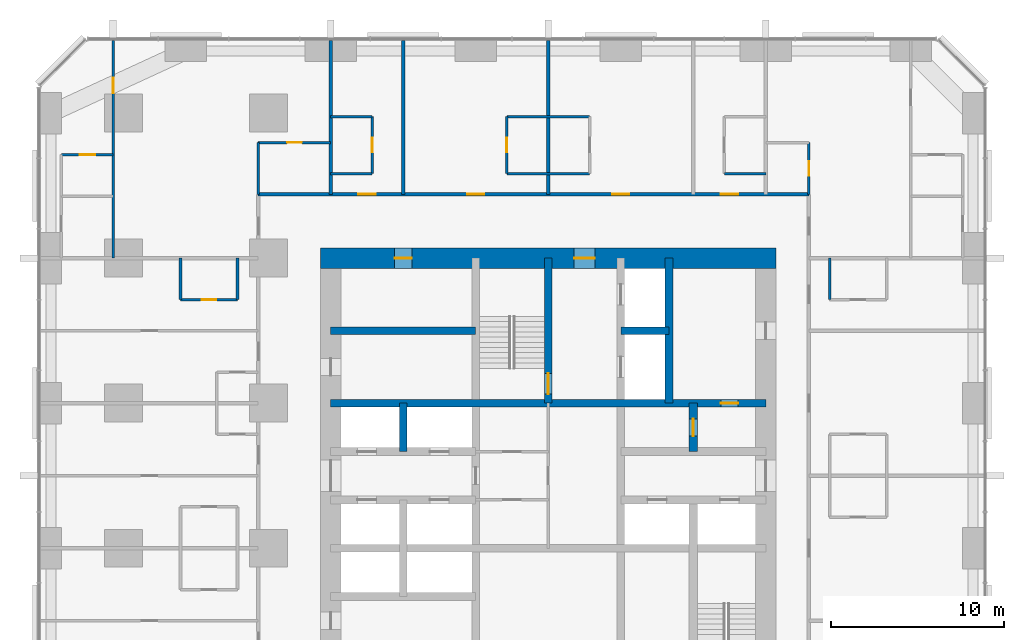
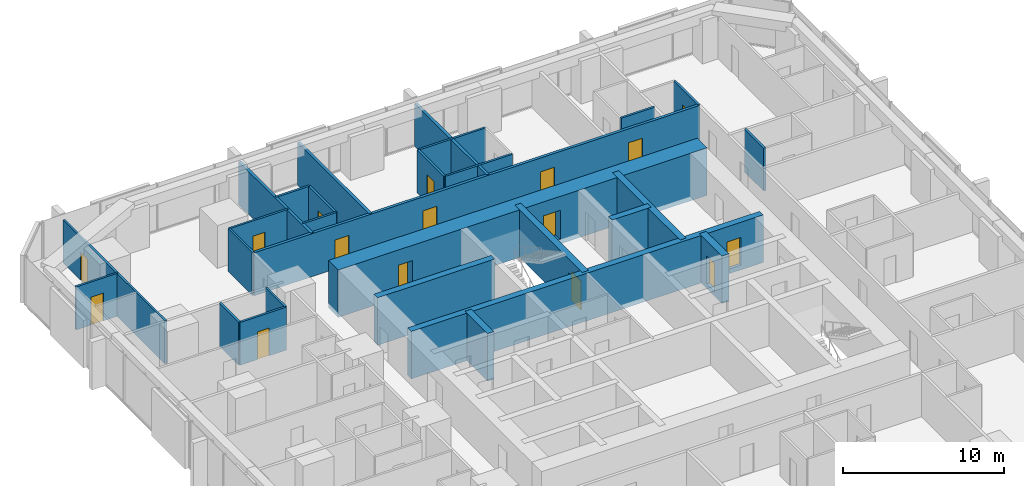
# One storey, part 11 of 13: 28 walls, 16 doors, 16 openings.
"""IFC4 building model written with IfcOpenShell, lengths in metres."""

from ifc_helpers import new_model, si_unit, direction, frame, frame_2d, origin, place, context, subcontext, project, spatial, rectangle, extrude, material, layer, layer_set, type_object, element, fill, save


model = new_model("IFC4")

# Units and contexts
model_context = context("Model", 3, precision=1e-05, world=origin(), true_north=direction((0.0, 1.0)))
body_context = subcontext(model_context, "Body", "Model", "MODEL_VIEW")
ifc_project = project(units=[si_unit("LENGTHUNIT", "METRE"), si_unit("AREAUNIT", "SQUARE_METRE"), si_unit("VOLUMEUNIT", "CUBIC_METRE"), si_unit("PLANEANGLEUNIT", "RADIAN"), si_unit("MASSUNIT", "GRAM", prefix="KILO")], contexts=[model_context])

# Site, building, storey
site_placement = place(None, origin())
site = spatial("IfcSite", under=ifc_project, at=site_placement, CompositionType="ELEMENT")
building_placement = place(site_placement, origin())
building = spatial("IfcBuilding", under=site, at=building_placement, Name="Dunama Terrace Hotel", CompositionType="ELEMENT")
storey_placement = place(building_placement, frame((0.0, 0.0, 97.199951171875)))
storey = spatial("IfcBuildingStorey", under=building, at=storey_placement, Name="L24", CompositionType="ELEMENT", Elevation=97.199951171875)

# Walls
ifc_material_1 = material(Name="Gypsum board partition", Category="masonry")
ifc_layer_1 = layer(ifc_material_1, 0.14990234375)
ifc_layer_set_1 = layer_set([ifc_layer_1], Name="Bathroom partition 150")
wall_type_1 = type_object("IfcWallType", Name="Bathroom partition 150", PredefinedType="PARTITIONING", material=ifc_layer_set_1)
for number, where, z_axis, x_axis, name in (
    (1, (8.10009765625, 39.60009765625, 0.0), (0.0, 0.0, 1.0), (0.0, 1.0, 0.0), "Bathroom partition 150 L24"),
    (2, (11.39990234375, 39.60009765625, 0.0), (0.0, 0.0, 1.0), (0.0, 1.0, 0.0), "Bathroom partition 150 L24"),
):
    element("IfcWall", number, at=place(storey_placement, frame(where, z_axis=z_axis, x_axis=x_axis)), inside=storey, type_object=wall_type_1, Name=name, PredefinedType="PARTITIONING", context=body_context, shape_type="SweptSolid", body=[
        extrude(rectangle(XDim=2.39990234375, YDim=0.14990234375, at=frame_2d((1.199951171875, 0.0))), origin(), (0.0, 0.0, 1.0), 3.25),
    ])
wall_1_placement = place(storey_placement, frame((12.60009765625, 45.699951171875, 0.0), z_axis=(0.0, 0.0, 1.0), x_axis=(0.0, 1.0, 0.0)))
element("IfcWall", 3, at=wall_1_placement, inside=storey, type_object=wall_type_1, Name="Bathroom partition 150 L24", PredefinedType="PARTITIONING", context=body_context, shape_type="SweptSolid", body=[
    extrude(rectangle(XDim=3.0, YDim=0.14990234375, at=frame_2d((1.5, 0.0))), origin(), (0.0, 0.0, 1.0), 3.25),
])

# Wall, opening, door
wall_2_placement = place(storey_placement, frame((19.199951171875, 46.89990234375, 0.0), z_axis=(0.0, 0.0, 1.0), x_axis=(0.0, 1.0, 0.0)))
wall_2 = element("IfcWall", 4, at=wall_2_placement, inside=storey, type_object=wall_type_1, Name="Bathroom partition 150 L24", PredefinedType="PARTITIONING", context=body_context, shape_type="SweptSolid", body=[
    extrude(rectangle(XDim=3.300048828125, YDim=0.14990234375, at=frame_2d((1.64990234375, 0.0))), origin(), (0.0, 0.0, 1.0), 3.25),
])
opening_1_placement = place(wall_2_placement, frame((1.22509765625, 0.0, 0.0)))
opening_1 = element("IfcOpeningElement", 5, at=opening_1_placement, cuts=wall_2, Name="Opening L24-026", PredefinedType="OPENING", context=body_context, shape_type="SweptSolid", body=[
    extrude(rectangle(XDim=0.85009765625, YDim=2.10009765625, at=frame_2d((0.425048828125, 1.050048828125))), frame((0.0, 0.0849609375, 0.0), z_axis=(0.0, -1.0, 0.0), x_axis=(1.0, 0.0, 0.0)), (0.0, 0.0, 1.0), 0.169921875),
])
ifc_material_2 = material(Name="Timber door with steel frame", Category="steel")
door_type_1 = type_object("IfcDoorType", Name="Bathroom door 850", OperationType="SINGLE_SWING_LEFT", PredefinedType="DOOR", material=ifc_material_2)
door_1_placement = place(opening_1_placement, origin())
door_1 = element("IfcDoor", 6, at=door_1_placement, inside=storey, type_object=door_type_1, Name="Door to en-suite bathroom L24-026, type D2", OperationType="SINGLE_SWING_LEFT", OverallHeight=2.10009765625, OverallWidth=0.85009765625, PredefinedType="DOOR", context=body_context, shape_type="SweptSolid", body=[
    extrude(rectangle(XDim=0.85009765625, YDim=2.10009765625, at=frame_2d((0.425048828125, 1.050048828125))), frame((0.0, 0.02490234375, 0.0), z_axis=(0.0, -1.0, 0.0), x_axis=(1.0, 0.0, 0.0)), (0.0, 0.0, 1.0), 0.050048828125),
])
fill(opening_1, door_1)

wall_3_placement = place(storey_placement, frame((27.0, 46.89990234375, 0.0), z_axis=(0.0, 0.0, 1.0), x_axis=(0.0, 1.0, 0.0)))
wall_3 = element("IfcWall", 7, at=wall_3_placement, inside=storey, type_object=wall_type_1, Name="Bathroom partition 150 L24", PredefinedType="PARTITIONING", context=body_context, shape_type="SweptSolid", body=[
    extrude(rectangle(XDim=3.300048828125, YDim=0.14990234375, at=frame_2d((1.64990234375, 0.0))), origin(), (0.0, 0.0, 1.0), 3.25),
])
opening_2_placement = place(wall_3_placement, frame((1.22509765625, 0.0, 0.0)))
opening_2 = element("IfcOpeningElement", 8, at=opening_2_placement, cuts=wall_3, Name="Opening L24-028", PredefinedType="OPENING", context=body_context, shape_type="SweptSolid", body=[
    extrude(rectangle(XDim=0.85009765625, YDim=2.10009765625, at=frame_2d((0.425048828125, 1.050048828125))), frame((0.0, 0.0849609375, 0.0), z_axis=(0.0, -1.0, 0.0), x_axis=(1.0, 0.0, 0.0)), (0.0, 0.0, 1.0), 0.169921875),
])
door_2_placement = place(opening_2_placement, frame((0.85009765625, 0.0, 0.0), z_axis=(0.0, 0.0, 1.0), x_axis=(-1.0, 0.0, 0.0)))
door_2 = element("IfcDoor", 9, at=door_2_placement, inside=storey, type_object=door_type_1, Name="Door to en-suite bathroom L24-028, type D2", OperationType="SINGLE_SWING_RIGHT", OverallHeight=2.10009765625, OverallWidth=0.85009765625, PredefinedType="DOOR", context=body_context, shape_type="SweptSolid", body=[
    extrude(rectangle(XDim=0.85009765625, YDim=2.10009765625, at=frame_2d((0.425048828125, 1.050048828125))), frame((0.0, 0.025146484375, 0.0), z_axis=(0.0, -1.0, 0.0), x_axis=(1.0, 0.0, 0.0)), (0.0, 0.0, 1.0), 0.050048828125),
])
fill(opening_2, door_2)

wall_4_placement = place(storey_placement, frame((44.5, 45.699951171875, 0.0), z_axis=(0.0, 0.0, 1.0), x_axis=(0.0, 1.0, 0.0)))
wall_4 = element("IfcWall", 10, at=wall_4_placement, inside=storey, type_object=wall_type_1, Name="Bathroom partition 150 L24", PredefinedType="PARTITIONING", context=body_context, shape_type="SweptSolid", body=[
    extrude(rectangle(XDim=3.0, YDim=0.14990234375, at=frame_2d((1.5, 0.0))), origin(), (0.0, 0.0, 1.0), 3.25),
])
opening_3_placement = place(wall_4_placement, frame((1.074951171875, 0.0, 0.0)))
opening_3 = element("IfcOpeningElement", 11, at=opening_3_placement, cuts=wall_4, Name="Opening L24-056", PredefinedType="OPENING", context=body_context, shape_type="SweptSolid", body=[
    extrude(rectangle(XDim=0.85009765625, YDim=2.10009765625, at=frame_2d((0.425048828125, 1.050048828125))), frame((0.0, 0.0849609375, 0.0), z_axis=(0.0, -1.0, 0.0), x_axis=(1.0, 0.0, 0.0)), (0.0, 0.0, 1.0), 0.169921875),
])
door_3_placement = place(opening_3_placement, origin())
door_3 = element("IfcDoor", 12, at=door_3_placement, inside=storey, type_object=door_type_1, Name="Door to powder room L24-056, type D2", OperationType="SINGLE_SWING_LEFT", OverallHeight=2.10009765625, OverallWidth=0.85009765625, PredefinedType="DOOR", context=body_context, shape_type="SweptSolid", body=[
    extrude(rectangle(XDim=0.85009765625, YDim=2.10009765625, at=frame_2d((0.425048828125, 1.050048828125))), frame((0.0, 0.02490234375, 0.0), z_axis=(0.0, -1.0, 0.0), x_axis=(1.0, 0.0, 0.0)), (0.0, 0.0, 1.0), 0.050048828125),
])
fill(opening_3, door_3)

# Wall
wall_5_placement = place(storey_placement, frame((45.699951171875, 39.60009765625, 0.0), z_axis=(0.0, 0.0, 1.0), x_axis=(0.0, 1.0, 0.0)))
element("IfcWall", 13, at=wall_5_placement, inside=storey, type_object=wall_type_1, Name="Bathroom partition 150 L24", PredefinedType="PARTITIONING", context=body_context, shape_type="SweptSolid", body=[
    extrude(rectangle(XDim=2.39990234375, YDim=0.14990234375, at=frame_2d((1.199951171875, 0.0))), origin(), (0.0, 0.0, 1.0), 3.25),
])

# Wall, opening, door
wall_6_placement = place(storey_placement, frame((8.10009765625, 39.60009765625, 0.0), z_axis=(0.0, 0.0, 1.0), x_axis=(1.0, 0.0, 0.0)))
wall_6 = element("IfcWall", 14, at=wall_6_placement, inside=storey, type_object=wall_type_1, Name="Bathroom partition 150 L24", PredefinedType="PARTITIONING", context=body_context, shape_type="SweptSolid", body=[
    extrude(rectangle(XDim=3.2998046875, YDim=0.14990234375, at=frame_2d((1.64990234375, 0.0))), origin(), (0.0, 0.0, 1.0), 3.25),
])
opening_4_placement = place(wall_6_placement, frame((1.22509765625, 0.0, 0.0)))
opening_4 = element("IfcOpeningElement", 15, at=opening_4_placement, cuts=wall_6, Name="Opening L24-044", PredefinedType="OPENING", context=body_context, shape_type="SweptSolid", body=[
    extrude(rectangle(XDim=0.85009765625, YDim=2.10009765625, at=frame_2d((0.425048828125, 1.050048828125))), frame((0.0, 0.0849609375, 0.0), z_axis=(0.0, -1.0, 0.0), x_axis=(1.0, 0.0, 0.0)), (0.0, 0.0, 1.0), 0.169921875),
])
door_4_placement = place(opening_4_placement, origin())
door_4 = element("IfcDoor", 16, at=door_4_placement, inside=storey, type_object=door_type_1, Name="Door to en-suite bathroom L24-044, type D2", OperationType="SINGLE_SWING_LEFT", OverallHeight=2.10009765625, OverallWidth=0.85009765625, PredefinedType="DOOR", context=body_context, shape_type="SweptSolid", body=[
    extrude(rectangle(XDim=0.85009765625, YDim=2.10009765625, at=frame_2d((0.425048828125, 1.050048828125))), frame((0.0, 0.02490234375, 0.0), z_axis=(0.0, -1.0, 0.0), x_axis=(1.0, 0.0, 0.0)), (0.0, 0.0, 1.0), 0.050048828125),
])
fill(opening_4, door_4)

# Walls
wall_7_placement = place(storey_placement, frame((16.800048828125, 46.89990234375, 0.0), z_axis=(0.0, 0.0, 1.0), x_axis=(1.0, 0.0, 0.0)))
element("IfcWall", 17, at=wall_7_placement, inside=storey, type_object=wall_type_1, Name="Bathroom partition 150 L24", PredefinedType="PARTITIONING", context=body_context, shape_type="SweptSolid", body=[
    extrude(rectangle(XDim=2.39990234375, YDim=0.14990234375, at=frame_2d((1.199951171875, 0.0))), origin(), (0.0, 0.0, 1.0), 3.25),
])
wall_8_placement = place(storey_placement, frame((27.0, 46.89990234375, 0.0), z_axis=(0.0, 0.0, 1.0), x_axis=(1.0, 0.0, 0.0)))
element("IfcWall", 18, at=wall_8_placement, inside=storey, type_object=wall_type_1, Name="Bathroom partition 150 L24", PredefinedType="PARTITIONING", context=body_context, shape_type="SweptSolid", body=[
    extrude(rectangle(XDim=4.800048828125, YDim=0.14990234375, at=frame_2d((2.39990234375, 0.0))), origin(), (0.0, 0.0, 1.0), 3.25),
])
wall_9_placement = place(storey_placement, frame((39.60009765625, 46.89990234375, 0.0), z_axis=(0.0, 0.0, 1.0), x_axis=(1.0, 0.0, 0.0)))
element("IfcWall", 19, at=wall_9_placement, inside=storey, type_object=wall_type_1, Name="Bathroom partition 150 L24", PredefinedType="PARTITIONING", context=body_context, shape_type="SweptSolid", body=[
    extrude(rectangle(XDim=2.39990234375, YDim=0.14990234375, at=frame_2d((1.199951171875, 0.0))), origin(), (0.0, 0.0, 1.0), 3.25),
])

# Wall, opening, door
wall_10_placement = place(storey_placement, frame((12.60009765625, 48.699951171875, 0.0), z_axis=(0.0, 0.0, 1.0), x_axis=(1.0, 0.0, 0.0)))
wall_10 = element("IfcWall", 20, at=wall_10_placement, inside=storey, type_object=wall_type_1, Name="Bathroom partition 150 L24", PredefinedType="PARTITIONING", context=body_context, shape_type="SweptSolid", body=[
    extrude(rectangle(XDim=4.199951171875, YDim=0.14990234375, at=frame_2d((2.10009765625, 0.0))), origin(), (0.0, 0.0, 1.0), 3.25),
])
opening_5_placement = place(wall_10_placement, frame((1.675048828125, 0.0, 0.0)))
opening_5 = element("IfcOpeningElement", 21, at=opening_5_placement, cuts=wall_10, Name="Opening L24-061", PredefinedType="OPENING", context=body_context, shape_type="SweptSolid", body=[
    extrude(rectangle(XDim=0.85009765625, YDim=2.10009765625, at=frame_2d((0.425048828125, 1.050048828125))), frame((0.0, 0.0849609375, 0.0), z_axis=(0.0, -1.0, 0.0), x_axis=(1.0, 0.0, 0.0)), (0.0, 0.0, 1.0), 0.169921875),
])
door_5_placement = place(opening_5_placement, frame((0.85009765625, 0.0, 0.0), z_axis=(0.0, 0.0, 1.0), x_axis=(-1.0, 0.0, 0.0)))
door_5 = element("IfcDoor", 22, at=door_5_placement, inside=storey, type_object=door_type_1, Name="Door to powder room L24-061, type D2", OperationType="SINGLE_SWING_RIGHT", OverallHeight=2.10009765625, OverallWidth=0.85009765625, PredefinedType="DOOR", context=body_context, shape_type="SweptSolid", body=[
    extrude(rectangle(XDim=0.85009765625, YDim=2.10009765625, at=frame_2d((0.425048828125, 1.050048828125))), frame((0.0, 0.025146484375, 0.0), z_axis=(0.0, -1.0, 0.0), x_axis=(1.0, 0.0, 0.0)), (0.0, 0.0, 1.0), 0.050048828125),
])
fill(opening_5, door_5)

# Walls
wall_11_placement = place(storey_placement, frame((16.800048828125, 50.199951171875, 0.0), z_axis=(0.0, 0.0, 1.0), x_axis=(1.0, 0.0, 0.0)))
element("IfcWall", 23, at=wall_11_placement, inside=storey, type_object=wall_type_1, Name="Bathroom partition 150 L24", PredefinedType="PARTITIONING", context=body_context, shape_type="SweptSolid", body=[
    extrude(rectangle(XDim=2.39990234375, YDim=0.14990234375, at=frame_2d((1.199951171875, 0.0))), origin(), (0.0, 0.0, 1.0), 3.25),
])
wall_12_placement = place(storey_placement, frame((27.0, 50.199951171875, 0.0), z_axis=(0.0, 0.0, 1.0), x_axis=(1.0, 0.0, 0.0)))
element("IfcWall", 24, at=wall_12_placement, inside=storey, type_object=wall_type_1, Name="Bathroom partition 150 L24", PredefinedType="PARTITIONING", context=body_context, shape_type="SweptSolid", body=[
    extrude(rectangle(XDim=4.800048828125, YDim=0.14990234375, at=frame_2d((2.39990234375, 0.0))), origin(), (0.0, 0.0, 1.0), 3.25),
])
ifc_material_3 = material(Name="Concrete C50/60", Category="concrete")
ifc_layer_2 = layer(ifc_material_3, 0.449951171875)
ifc_layer_set_2 = layer_set([ifc_layer_2], Name="Core inner wall 450")
wall_type_2 = type_object("IfcWallType", Name="Core inner wall 450", PredefinedType="SHEAR", material=ifc_layer_set_2)
wall_13_placement = place(storey_placement, frame((21.0, 30.800048828125, -0.349853515625), z_axis=(0.0, 0.0, 1.0), x_axis=(0.0, 1.0, 0.0)))
element("IfcWall", 25, at=wall_13_placement, inside=storey, type_object=wall_type_2, Name="Core inner wall 450 L24", PredefinedType="SHEAR", context=body_context, shape_type="SweptSolid", body=[
    extrude(rectangle(XDim=2.800048828125, YDim=0.449951171875, at=frame_2d((1.39990234375, 0.0))), origin(), (0.0, 0.0, 1.0), 3.599853515625),
])

# Wall, opening, door
wall_14_placement = place(storey_placement, frame((29.39990234375, 33.60009765625, -0.349853515625), z_axis=(0.0, 0.0, 1.0), x_axis=(0.0, 1.0, 0.0)))
wall_14 = element("IfcWall", 26, at=wall_14_placement, inside=storey, type_object=wall_type_2, Name="Core inner wall 450 L24", PredefinedType="SHEAR", context=body_context, shape_type="SweptSolid", body=[
    extrude(rectangle(XDim=8.39990234375, YDim=0.449951171875, at=frame_2d((4.199951171875, 0.0))), origin(), (0.0, 0.0, 1.0), 3.599853515625),
])
opening_6_placement = place(wall_14_placement, frame((0.52490234375, 0.0, 0.35009765625)))
opening_6 = element("IfcOpeningElement", 27, at=opening_6_placement, cuts=wall_14, Name="Opening L24-001", PredefinedType="OPENING", context=body_context, shape_type="SweptSolid", body=[
    extrude(rectangle(XDim=1.199951171875, YDim=2.199951171875, at=frame_2d((0.60009765625, 1.10009765625))), frame((0.0, 0.23486328125, 0.0), z_axis=(0.0, -1.0, 0.0), x_axis=(1.0, 0.0, 0.0)), (0.0, 0.0, 1.0), 0.469970703125),
])
ifc_material_4 = material(Name="Timber door with steel frame", Category="steel")
door_type_2 = type_object("IfcDoorType", Name="Stair door 1200", OperationType="SINGLE_SWING_LEFT", PredefinedType="DOOR", material=ifc_material_4)
door_6_placement = place(opening_6_placement, origin())
door_6 = element("IfcDoor", 28, at=door_6_placement, inside=storey, type_object=door_type_2, Name="Stair door ST1 L24-001, type D5", OperationType="SINGLE_SWING_LEFT", OverallHeight=2.199951171875, OverallWidth=1.199951171875, PredefinedType="DOOR", context=body_context, shape_type="SweptSolid", body=[
    extrude(rectangle(XDim=1.199951171875, YDim=2.199951171875, at=frame_2d((0.60009765625, 1.10009765625))), frame((0.0, 0.02490234375, 0.0), z_axis=(0.0, -1.0, 0.0), x_axis=(1.0, 0.0, 0.0)), (0.0, 0.0, 1.0), 0.050048828125),
])
fill(opening_6, door_6)

# Wall
wall_15_placement = place(storey_placement, frame((36.39990234375, 33.60009765625, -0.349853515625), z_axis=(0.0, 0.0, 1.0), x_axis=(0.0, 1.0, 0.0)))
element("IfcWall", 29, at=wall_15_placement, inside=storey, type_object=wall_type_2, Name="Core inner wall 450 L24", PredefinedType="SHEAR", context=body_context, shape_type="SweptSolid", body=[
    extrude(rectangle(XDim=8.39990234375, YDim=0.449951171875, at=frame_2d((4.199951171875, 0.0))), origin(), (0.0, 0.0, 1.0), 3.599853515625),
])

# Wall, opening, door
wall_16_placement = place(storey_placement, frame((16.800048828125, 33.60009765625, -0.349853515625), z_axis=(0.0, 0.0, 1.0), x_axis=(1.0, 0.0, 0.0)))
wall_16 = element("IfcWall", 30, at=wall_16_placement, inside=storey, type_object=wall_type_2, Name="Core inner wall 450 L24", PredefinedType="SHEAR", context=body_context, shape_type="SweptSolid", body=[
    extrude(rectangle(XDim=25.199951171875, YDim=0.449951171875, at=frame_2d((12.60009765625, 0.0))), origin(), (0.0, 0.0, 1.0), 3.599853515625),
])
opening_7_placement = place(wall_16_placement, frame((22.60009765625, 0.0, 0.35009765625)))
opening_7 = element("IfcOpeningElement", 31, at=opening_7_placement, cuts=wall_16, Name="Opening L24-074", PredefinedType="OPENING", context=body_context, shape_type="SweptSolid", body=[
    extrude(rectangle(XDim=1.0, YDim=2.10009765625, at=frame_2d((0.5, 1.050048828125))), frame((0.0, 0.23486328125, 0.0), z_axis=(0.0, -1.0, 0.0), x_axis=(1.0, 0.0, 0.0)), (0.0, 0.0, 1.0), 0.469970703125),
])
ifc_material_5 = material(Name="Timber door with steel frame", Category="steel")
door_type_3 = type_object("IfcDoorType", Name="Service door 1000", OperationType="SINGLE_SWING_LEFT", PredefinedType="DOOR", material=ifc_material_5)
door_7_placement = place(opening_7_placement, frame((1.0, 0.0, 0.0), z_axis=(0.0, 0.0, 1.0), x_axis=(-1.0, 0.0, 0.0)))
door_7 = element("IfcDoor", 32, at=door_7_placement, inside=storey, type_object=door_type_3, Name="Door to housekeeping and linen store L24-074, type D7", OperationType="SINGLE_SWING_LEFT", OverallHeight=2.10009765625, OverallWidth=1.0, PredefinedType="DOOR", context=body_context, shape_type="SweptSolid", body=[
    extrude(rectangle(XDim=1.0, YDim=2.10009765625, at=frame_2d((0.5, 1.050048828125))), frame((0.0, 0.025146484375, 0.0), z_axis=(0.0, -1.0, 0.0), x_axis=(1.0, 0.0, 0.0)), (0.0, 0.0, 1.0), 0.050048828125),
])
fill(opening_7, door_7)

# Walls
wall_17_placement = place(storey_placement, frame((16.800048828125, 37.800048828125, -0.349853515625), z_axis=(0.0, 0.0, 1.0), x_axis=(1.0, 0.0, 0.0)))
element("IfcWall", 33, at=wall_17_placement, inside=storey, type_object=wall_type_2, Name="Core inner wall 450 L24", PredefinedType="SHEAR", context=body_context, shape_type="SweptSolid", body=[
    extrude(rectangle(XDim=8.39990234375, YDim=0.449951171875, at=frame_2d((4.199951171875, 0.0))), origin(), (0.0, 0.0, 1.0), 3.599853515625),
])
wall_18_placement = place(storey_placement, frame((33.60009765625, 37.800048828125, -0.349853515625), z_axis=(0.0, 0.0, 1.0), x_axis=(1.0, 0.0, 0.0)))
element("IfcWall", 34, at=wall_18_placement, inside=storey, type_object=wall_type_2, Name="Core inner wall 450 L24", PredefinedType="SHEAR", context=body_context, shape_type="SweptSolid", body=[
    extrude(rectangle(XDim=2.7998046875, YDim=0.449951171875, at=frame_2d((1.39990234375, 0.0))), origin(), (0.0, 0.0, 1.0), 3.599853515625),
])

# Wall, opening, door
ifc_material_6 = material(Name="Concrete C50/60", Category="concrete")
ifc_layer_3 = layer(ifc_material_6, 0.5)
ifc_layer_set_3 = layer_set([ifc_layer_3], Name="Core inner wall 500")
wall_type_3 = type_object("IfcWallType", Name="Core inner wall 500", PredefinedType="SHEAR", material=ifc_layer_set_3)
wall_19_placement = place(storey_placement, frame((37.800048828125, 30.800048828125, -0.349853515625), z_axis=(0.0, 0.0, 1.0), x_axis=(0.0, 1.0, 0.0)))
wall_19 = element("IfcWall", 35, at=wall_19_placement, inside=storey, type_object=wall_type_3, Name="Core inner wall 500 L24", PredefinedType="SHEAR", context=body_context, shape_type="SweptSolid", body=[
    extrude(rectangle(XDim=2.800048828125, YDim=0.5, at=frame_2d((1.39990234375, 0.0))), origin(), (0.0, 0.0, 1.0), 3.599853515625),
])
opening_8_placement = place(wall_19_placement, frame((0.89990234375, 0.0, 0.35009765625)))
opening_8 = element("IfcOpeningElement", 36, at=opening_8_placement, cuts=wall_19, Name="Opening L24-073", PredefinedType="OPENING", context=body_context, shape_type="SweptSolid", body=[
    extrude(rectangle(XDim=1.0, YDim=2.10009765625, at=frame_2d((0.5, 1.050048828125))), frame((0.0, 0.260009765625, 0.0), z_axis=(0.0, -1.0, 0.0), x_axis=(1.0, 0.0, 0.0)), (0.0, 0.0, 1.0), 0.52001953125),
])
door_8_placement = place(opening_8_placement, frame((1.0, 0.0, 0.0), z_axis=(0.0, 0.0, 1.0), x_axis=(-1.0, 0.0, 0.0)))
door_8 = element("IfcDoor", 37, at=door_8_placement, inside=storey, type_object=door_type_3, Name="Door to service riser L24-073, type D7", OperationType="SINGLE_SWING_RIGHT", OverallHeight=2.10009765625, OverallWidth=1.0, PredefinedType="DOOR", context=body_context, shape_type="SweptSolid", body=[
    extrude(rectangle(XDim=1.0, YDim=2.10009765625, at=frame_2d((0.5, 1.050048828125))), frame((0.0, 0.025146484375, 0.0), z_axis=(0.0, -1.0, 0.0), x_axis=(1.0, 0.0, 0.0)), (0.0, 0.0, 1.0), 0.050048828125),
])
fill(opening_8, door_8)

# Wall, openings, doors
ifc_material_7 = material(Name="Concrete C60/75", Category="concrete")
ifc_layer_4 = layer(ifc_material_7, 1.199951171875)
ifc_layer_set_4 = layer_set([ifc_layer_4], Name="Core wall 1200")
wall_type_4 = type_object("IfcWallType", Name="Core wall 1200", PredefinedType="SHEAR", material=ifc_layer_set_4)
wall_20_placement = place(storey_placement, frame((42.60009765625, 42.0, -0.349853515625), z_axis=(0.0, 0.0, 1.0), x_axis=(-1.0, 0.0, 0.0)))
wall_20 = element("IfcWall", 38, at=wall_20_placement, inside=storey, type_object=wall_type_4, Name="Core wall north L24", PredefinedType="SHEAR", context=body_context, shape_type="SweptSolid", body=[
    extrude(rectangle(XDim=26.400146484375, YDim=1.199951171875, at=frame_2d((13.2001953125, 0.0))), origin(), (0.0, 0.0, 1.0), 3.599853515625),
])
opening_9_placement = place(wall_20_placement, frame((21.10009765625, 0.0, 0.35009765625)))
opening_9 = element("IfcOpeningElement", 39, at=opening_9_placement, cuts=wall_20, Name="Opening L24-068", PredefinedType="OPENING", context=body_context, shape_type="SweptSolid", body=[
    extrude(rectangle(XDim=1.0, YDim=2.10009765625, at=frame_2d((0.5, 1.050048828125))), frame((0.0, 0.60986328125, 0.0), z_axis=(0.0, -1.0, 0.0), x_axis=(1.0, 0.0, 0.0)), (0.0, 0.0, 1.0), 1.219970703125),
])
opening_10_placement = place(wall_20_placement, frame((10.5, 0.0, 0.35009765625)))
opening_10 = element("IfcOpeningElement", 40, at=opening_10_placement, cuts=wall_20, Name="Opening L24-076", PredefinedType="OPENING", context=body_context, shape_type="SweptSolid", body=[
    extrude(rectangle(XDim=1.199951171875, YDim=2.199951171875, at=frame_2d((0.60009765625, 1.10009765625))), frame((0.0, 0.60986328125, 0.0), z_axis=(0.0, -1.0, 0.0), x_axis=(1.0, 0.0, 0.0)), (0.0, 0.0, 1.0), 1.219970703125),
])
ifc_material_8 = material(Name="Timber door with steel frame", Category="steel")
door_type_4 = type_object("IfcDoorType", Name="Firefighting lobby door 1200", OperationType="SINGLE_SWING_LEFT", PredefinedType="DOOR", material=ifc_material_8)
door_9_placement = place(opening_10_placement, origin())
door_9 = element("IfcDoor", 41, at=door_9_placement, inside=storey, type_object=door_type_4, Name="Door to firefighting lobby L24-076, type D4", OperationType="SINGLE_SWING_LEFT", OverallHeight=2.199951171875, OverallWidth=1.199951171875, PredefinedType="DOOR", context=body_context, shape_type="SweptSolid", body=[
    extrude(rectangle(XDim=1.199951171875, YDim=2.199951171875, at=frame_2d((0.60009765625, 1.10009765625))), frame((0.0, 0.02490234375, 0.0), z_axis=(0.0, -1.0, 0.0), x_axis=(1.0, 0.0, 0.0)), (0.0, 0.0, 1.0), 0.050048828125),
])
fill(opening_10, door_9)
door_10_placement = place(opening_9_placement, origin())
door_10 = element("IfcDoor", 42, at=door_10_placement, inside=storey, type_object=door_type_3, Name="Door to communications and riser room L24-068, type D7", OperationType="SINGLE_SWING_LEFT", OverallHeight=2.10009765625, OverallWidth=1.0, PredefinedType="DOOR", context=body_context, shape_type="SweptSolid", body=[
    extrude(rectangle(XDim=1.0, YDim=2.10009765625, at=frame_2d((0.5, 1.050048828125))), frame((0.0, 0.02490234375, 0.0), z_axis=(0.0, -1.0, 0.0), x_axis=(1.0, 0.0, 0.0)), (0.0, 0.0, 1.0), 0.050048828125),
])
fill(opening_9, door_10)

ifc_material_9 = material(Name="Concrete blockwork", Category="masonry")
ifc_layer_5 = layer(ifc_material_9, 0.199951171875)
ifc_layer_set_5 = layer_set([ifc_layer_5], Name="Corridor partition 200")
wall_type_5 = type_object("IfcWallType", Name="Corridor partition 200", PredefinedType="PARTITIONING", material=ifc_layer_set_5)
wall_21_placement = place(storey_placement, frame((12.60009765625, 45.699951171875, 0.0), z_axis=(0.0, 0.0, 1.0), x_axis=(1.0, 0.0, 0.0)))
wall_21 = element("IfcWall", 43, at=wall_21_placement, inside=storey, type_object=wall_type_5, Name="Corridor partition 200 L24", PredefinedType="PARTITIONING", context=body_context, shape_type="SweptSolid", body=[
    extrude(rectangle(XDim=31.89990234375, YDim=0.199951171875, at=frame_2d((15.949951171875, 0.0))), origin(), (0.0, 0.0, 1.0), 3.25),
])
opening_11_placement = place(wall_21_placement, frame((5.800048828125, 0.0, 0.0)))
opening_11 = element("IfcOpeningElement", 44, at=opening_11_placement, cuts=wall_21, Name="Opening L24-025", PredefinedType="OPENING", context=body_context, shape_type="SweptSolid", body=[
    extrude(rectangle(XDim=1.0, YDim=2.199951171875, at=frame_2d((0.5, 1.10009765625))), frame((0.0, 0.10986328125, 0.0), z_axis=(0.0, -1.0, 0.0), x_axis=(1.0, 0.0, 0.0)), (0.0, 0.0, 1.0), 0.219970703125),
])
opening_12_placement = place(wall_21_placement, frame((12.10009765625, 0.0, 0.0)))
opening_12 = element("IfcOpeningElement", 45, at=opening_12_placement, cuts=wall_21, Name="Opening L24-027", PredefinedType="OPENING", context=body_context, shape_type="SweptSolid", body=[
    extrude(rectangle(XDim=1.0, YDim=2.199951171875, at=frame_2d((0.5, 1.10009765625))), frame((0.0, 0.10986328125, 0.0), z_axis=(0.0, -1.0, 0.0), x_axis=(1.0, 0.0, 0.0)), (0.0, 0.0, 1.0), 0.219970703125),
])
opening_13_placement = place(wall_21_placement, frame((20.5, 0.0, 0.0)))
opening_13 = element("IfcOpeningElement", 46, at=opening_13_placement, cuts=wall_21, Name="Opening L24-029", PredefinedType="OPENING", context=body_context, shape_type="SweptSolid", body=[
    extrude(rectangle(XDim=1.0, YDim=2.199951171875, at=frame_2d((0.5, 1.10009765625))), frame((0.0, 0.10986328125, 0.0), z_axis=(0.0, -1.0, 0.0), x_axis=(1.0, 0.0, 0.0)), (0.0, 0.0, 1.0), 0.219970703125),
])
opening_14_placement = place(wall_21_placement, frame((26.800048828125, 0.0, 0.0)))
opening_14 = element("IfcOpeningElement", 47, at=opening_14_placement, cuts=wall_21, Name="Opening L24-031", PredefinedType="OPENING", context=body_context, shape_type="SweptSolid", body=[
    extrude(rectangle(XDim=1.0, YDim=2.199951171875, at=frame_2d((0.5, 1.10009765625))), frame((0.0, 0.10986328125, 0.0), z_axis=(0.0, -1.0, 0.0), x_axis=(1.0, 0.0, 0.0)), (0.0, 0.0, 1.0), 0.219970703125),
])
ifc_material_10 = material(Name="Timber door with steel frame", Category="steel")
door_type_5 = type_object("IfcDoorType", Name="Guest room door 1000", OperationType="SINGLE_SWING_LEFT", PredefinedType="DOOR", material=ifc_material_10)
door_11_placement = place(opening_11_placement, origin())
door_11 = element("IfcDoor", 48, at=door_11_placement, inside=storey, type_object=door_type_5, Name="Door to premier room L24-025, type D1", OperationType="SINGLE_SWING_LEFT", OverallHeight=2.199951171875, OverallWidth=1.0, PredefinedType="DOOR", context=body_context, shape_type="SweptSolid", body=[
    extrude(rectangle(XDim=1.0, YDim=2.199951171875, at=frame_2d((0.5, 1.10009765625))), frame((0.0, 0.02490234375, 0.0), z_axis=(0.0, -1.0, 0.0), x_axis=(1.0, 0.0, 0.0)), (0.0, 0.0, 1.0), 0.050048828125),
])
fill(opening_11, door_11)
door_12_placement = place(opening_12_placement, origin())
door_12 = element("IfcDoor", 49, at=door_12_placement, inside=storey, type_object=door_type_5, Name="Door to junior suite L24-027, type D1", OperationType="SINGLE_SWING_RIGHT", OverallHeight=2.199951171875, OverallWidth=1.0, PredefinedType="DOOR", context=body_context, shape_type="SweptSolid", body=[
    extrude(rectangle(XDim=1.0, YDim=2.199951171875, at=frame_2d((0.5, 1.10009765625))), frame((0.0, 0.02490234375, 0.0), z_axis=(0.0, -1.0, 0.0), x_axis=(1.0, 0.0, 0.0)), (0.0, 0.0, 1.0), 0.050048828125),
])
fill(opening_12, door_12)
door_13_placement = place(opening_13_placement, origin())
door_13 = element("IfcDoor", 50, at=door_13_placement, inside=storey, type_object=door_type_5, Name="Door to junior suite L24-029, type D1", OperationType="SINGLE_SWING_LEFT", OverallHeight=2.199951171875, OverallWidth=1.0, PredefinedType="DOOR", context=body_context, shape_type="SweptSolid", body=[
    extrude(rectangle(XDim=1.0, YDim=2.199951171875, at=frame_2d((0.5, 1.10009765625))), frame((0.0, 0.02490234375, 0.0), z_axis=(0.0, -1.0, 0.0), x_axis=(1.0, 0.0, 0.0)), (0.0, 0.0, 1.0), 0.050048828125),
])
fill(opening_13, door_13)
door_14_placement = place(opening_14_placement, origin())
door_14 = element("IfcDoor", 51, at=door_14_placement, inside=storey, type_object=door_type_5, Name="Door to premier room L24-031, type D1", OperationType="SINGLE_SWING_RIGHT", OverallHeight=2.199951171875, OverallWidth=1.0, PredefinedType="DOOR", context=body_context, shape_type="SweptSolid", body=[
    extrude(rectangle(XDim=1.0, YDim=2.199951171875, at=frame_2d((0.5, 1.10009765625))), frame((0.0, 0.02490234375, 0.0), z_axis=(0.0, -1.0, 0.0), x_axis=(1.0, 0.0, 0.0)), (0.0, 0.0, 1.0), 0.050048828125),
])
fill(opening_14, door_14)

# Walls
ifc_material_11 = material(Name="Concrete blockwork", Category="masonry")
ifc_layer_6 = layer(ifc_material_11, 0.199951171875)
ifc_layer_set_6 = layer_set([ifc_layer_6], Name="Party wall 200")
wall_type_6 = type_object("IfcWallType", Name="Party wall 200", PredefinedType="PARTITIONING", material=ifc_layer_set_6)
for number, where, z_axis, x_axis, name in (
    (52, (16.800048828125, 45.699951171875, 0.0), (0.0, 0.0, 1.0), (0.0, 1.0, 0.0), "Party wall 200 L24"),
    (53, (21.0, 45.699951171875, 0.0), (0.0, 0.0, 1.0), (0.0, 1.0, 0.0), "Party wall 200 L24"),
    (54, (29.39990234375, 45.699951171875, 0.0), (0.0, 0.0, 1.0), (0.0, 1.0, 0.0), "Party wall 200 L24"),
):
    element("IfcWall", number, at=place(storey_placement, frame(where, z_axis=z_axis, x_axis=x_axis)), inside=storey, type_object=wall_type_6, Name=name, PredefinedType="PARTITIONING", context=body_context, shape_type="SweptSolid", body=[
        extrude(rectangle(XDim=8.91796875, YDim=0.199951171875, at=frame_2d((4.458984375, 0.0))), origin(), (0.0, 0.0, 1.0), 3.25),
    ])

# Wall, opening, door
ifc_material_12 = material(Name="Gypsum board partition", Category="masonry")
ifc_layer_7 = layer(ifc_material_12, 0.14990234375)
ifc_layer_set_7 = layer_set([ifc_layer_7], Name="Room partition 150")
wall_type_7 = type_object("IfcWallType", Name="Room partition 150", PredefinedType="PARTITIONING", material=ifc_layer_set_7)
wall_22_placement = place(storey_placement, frame((4.199951171875, 42.0, 0.0), z_axis=(0.0, 0.0, 1.0), x_axis=(0.0, 1.0, 0.0)))
wall_22 = element("IfcWall", 55, at=wall_22_placement, inside=storey, type_object=wall_type_7, Name="Room partition 150 L24", PredefinedType="PARTITIONING", context=body_context, shape_type="SweptSolid", body=[
    extrude(rectangle(XDim=12.617919921875, YDim=0.14990234375, at=frame_2d((6.30908203125, 0.0))), origin(), (0.0, 0.0, 1.0), 3.25),
])
opening_15_placement = place(wall_22_placement, frame((9.550048828125, 0.0, 0.0)))
opening_15 = element("IfcOpeningElement", 56, at=opening_15_placement, cuts=wall_22, Name="Opening L24-062", PredefinedType="OPENING", context=body_context, shape_type="SweptSolid", body=[
    extrude(rectangle(XDim=0.89990234375, YDim=2.10009765625, at=frame_2d((0.449951171875, 1.050048828125))), frame((0.0, 0.0849609375, 0.0), z_axis=(0.0, -1.0, 0.0), x_axis=(1.0, 0.0, 0.0)), (0.0, 0.0, 1.0), 0.169921875),
])
ifc_material_13 = material(Name="Timber door with steel frame", Category="steel")
door_type_6 = type_object("IfcDoorType", Name="Suite internal door 900", OperationType="SINGLE_SWING_LEFT", PredefinedType="DOOR", material=ifc_material_13)
door_15_placement = place(opening_15_placement, origin())
door_15 = element("IfcDoor", 57, at=door_15_placement, inside=storey, type_object=door_type_6, Name="Door to corner suite bedroom L24-062, type D16", OperationType="SINGLE_SWING_LEFT", OverallHeight=2.10009765625, OverallWidth=0.89990234375, PredefinedType="DOOR", context=body_context, shape_type="SweptSolid", body=[
    extrude(rectangle(XDim=0.89990234375, YDim=2.10009765625, at=frame_2d((0.449951171875, 1.050048828125))), frame((0.0, 0.02490234375, 0.0), z_axis=(0.0, -1.0, 0.0), x_axis=(1.0, 0.0, 0.0)), (0.0, 0.0, 1.0), 0.050048828125),
])
fill(opening_15, door_15)

wall_23_placement = place(storey_placement, frame((1.199951171875, 48.0, 0.0), z_axis=(0.0, 0.0, 1.0), x_axis=(1.0, 0.0, 0.0)))
wall_23 = element("IfcWall", 58, at=wall_23_placement, inside=storey, type_object=wall_type_7, Name="Room partition 150 L24", PredefinedType="PARTITIONING", context=body_context, shape_type="SweptSolid", body=[
    extrude(rectangle(XDim=3.0, YDim=0.14990234375, at=frame_2d((1.5, 0.0))), origin(), (0.0, 0.0, 1.0), 3.25),
])
opening_16_placement = place(wall_23_placement, frame((1.050048828125, 0.0, 0.0)))
opening_16 = element("IfcOpeningElement", 59, at=opening_16_placement, cuts=wall_23, Name="Opening L24-064", PredefinedType="OPENING", context=body_context, shape_type="SweptSolid", body=[
    extrude(rectangle(XDim=0.89990234375, YDim=2.10009765625, at=frame_2d((0.449951171875, 1.050048828125))), frame((0.0, 0.0849609375, 0.0), z_axis=(0.0, -1.0, 0.0), x_axis=(1.0, 0.0, 0.0)), (0.0, 0.0, 1.0), 0.169921875),
])
door_16_placement = place(opening_16_placement, frame((0.89990234375, 0.0, 0.0), z_axis=(0.0, 0.0, 1.0), x_axis=(-1.0, 0.0, 0.0)))
door_16 = element("IfcDoor", 60, at=door_16_placement, inside=storey, type_object=door_type_6, Name="Door to dressing room L24-064, type D16", OperationType="SINGLE_SWING_RIGHT", OverallHeight=2.10009765625, OverallWidth=0.89990234375, PredefinedType="DOOR", context=body_context, shape_type="SweptSolid", body=[
    extrude(rectangle(XDim=0.89990234375, YDim=2.10009765625, at=frame_2d((0.449951171875, 1.050048828125))), frame((0.0, 0.025146484375, 0.0), z_axis=(0.0, -1.0, 0.0), x_axis=(1.0, 0.0, 0.0)), (0.0, 0.0, 1.0), 0.050048828125),
])
fill(opening_16, door_16)

save(model, "model.ifc")
